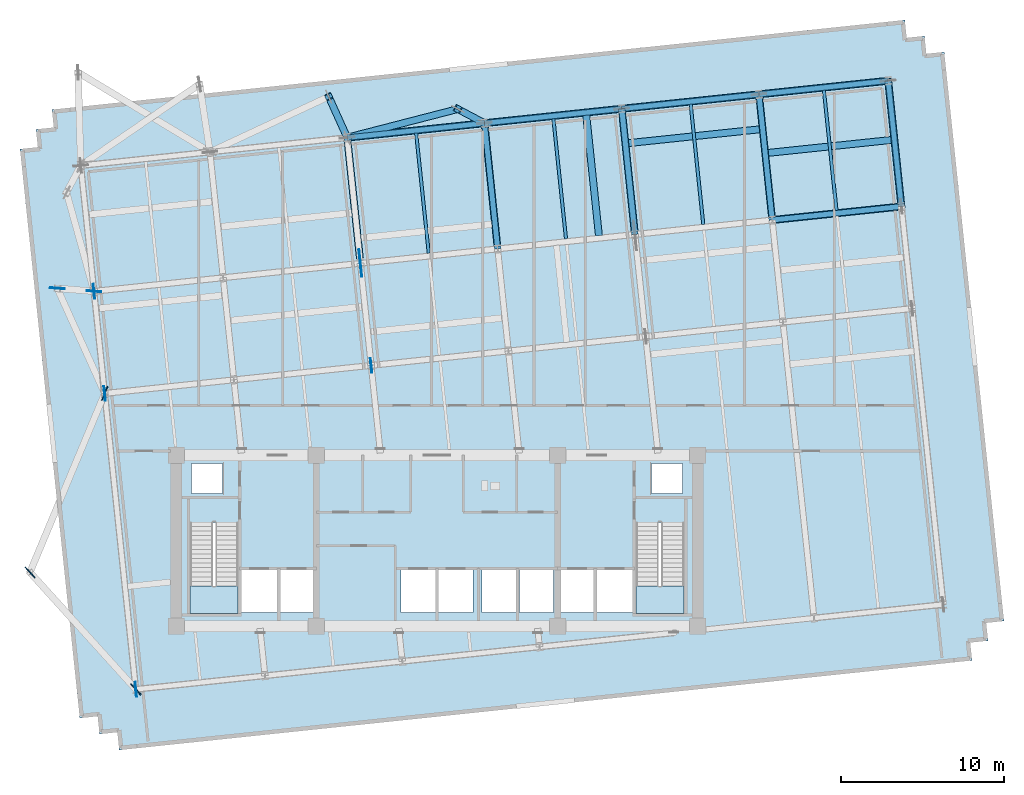
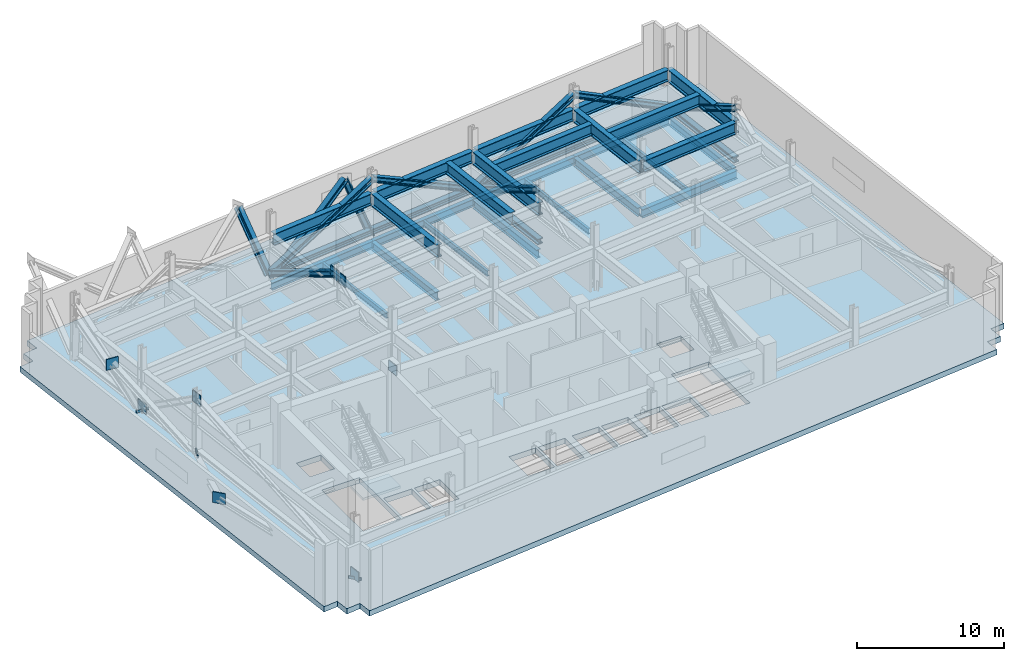
# One storey, part 4 of 11: 25 beams, 16 members, 11 plates, 3 slabs, 2 elements without a shape of their own.
"""IFC4 building model written with IfcOpenShell, lengths in metres."""

from ifc_helpers import new_model, si_unit, direction, frame, origin, origin_2d, place, context, subcontext, project, spatial, polyline, rectangle, i_section, outline, extrude, material, layer, layer_set, material_profile, profile_set, type_object, element, aggregate, save


model = new_model("IFC4")

# Units and contexts
model_context = context("Model", 3, precision=1e-05, world=origin(), true_north=direction((0.0, 1.0)))
body_context = subcontext(model_context, "Body", "Model", "MODEL_VIEW")
ifc_project = project(units=[si_unit("LENGTHUNIT", "METRE"), si_unit("AREAUNIT", "SQUARE_METRE"), si_unit("VOLUMEUNIT", "CUBIC_METRE"), si_unit("PLANEANGLEUNIT", "RADIAN"), si_unit("MASSUNIT", "GRAM", prefix="KILO")], contexts=[model_context])

# Site, building, storey
site_placement = place(None, origin())
site = spatial("IfcSite", under=ifc_project, at=site_placement, CompositionType="ELEMENT")
building_placement = place(site_placement, origin())
building = spatial("IfcBuilding", under=site, at=building_placement, Name="Solmavex Isthmus Hotel", CompositionType="ELEMENT")
storey_placement = place(building_placement, frame((0.0, 0.0, 130.5)))
storey = spatial("IfcBuildingStorey", under=building, at=storey_placement, Name="L35", CompositionType="ELEMENT", Elevation=130.5)

# Beams
ifc_material_1 = material(Name="Steel ASTM A992 Grade 50", Category="steel")
ifc_material_profile_1 = material_profile(ifc_material_1, i_section(OverallWidth=0.354736328125, OverallDepth=0.695556640625, WebThickness=0.015380859375, FlangeThickness=0.02490234375, FilletRadius=0.017822265625, at=origin_2d()), Name="W27X146")
ifc_profile_set_1 = profile_set([ifc_material_profile_1], Name="Steel ASTM A992 Grade 50")
beam_type_1 = type_object("IfcBeamType", Name="BM-BG-W27X146", PredefinedType="BEAM", material=ifc_profile_set_1)
beam_1_placement = place(storey_placement, frame((20.5615234375, 11.921875, -0.7978515625), z_axis=(0.994523402738, 0.104514120609, 0.0), x_axis=(-0.104514120609, 0.994523402738, 0.0)))
element("IfcBeam", 1, at=beam_1_placement, inside=storey, type_object=beam_type_1, Name="Floor Girder L35-UG18", PredefinedType="BEAM", context=body_context, shape_type="SweptSolid", body=[
    extrude(i_section(OverallWidth=0.354736328125, OverallDepth=0.695556640625, WebThickness=0.015380859375, FlangeThickness=0.02490234375, FilletRadius=0.017822265625, at=origin_2d()), origin(), (0.0, 0.0, 1.0), 7.968017578125),
])
beam_2_placement = place(storey_placement, frame((3.70361328125, 10.328369140625, -0.7978515625), z_axis=(-0.10452188296, 0.994522586964, 0.0), x_axis=(-0.994522586964, -0.10452188296, 0.0)))
element("IfcBeam", 2, at=beam_2_placement, inside=storey, type_object=beam_type_1, Name="Floor Beam L35-VG39", PredefinedType="BEAM", context=body_context, shape_type="SweptSolid", body=[
    extrude(i_section(OverallWidth=0.354736328125, OverallDepth=0.695556640625, WebThickness=0.015380859375, FlangeThickness=0.02490234375, FilletRadius=0.017822265625, at=origin_2d()), origin(), (0.0, 0.0, 1.0), 7.411376953125),
])
for number, where, z_axis, x_axis, name in (
    (3, (12.123291015625, 11.21337890625, -0.7978515625), (-0.104525307271, 0.994522227072, 0.0), (-0.994522227072, -0.104525307271, 0.0), "Floor Beam L35-VG42"),
    (4, (20.54296875, 12.098388671875, -0.7978515625), (-0.1045578893, 0.994518802128, 0.0), (-0.994518802128, -0.1045578893, 0.0), "Floor Beam L35-VG45"),
):
    element("IfcBeam", number, at=place(storey_placement, frame(where, z_axis=z_axis, x_axis=x_axis)), inside=storey, type_object=beam_type_1, Name=name, PredefinedType="BEAM", context=body_context, shape_type="SweptSolid", body=[
        extrude(i_section(OverallWidth=0.354736328125, OverallDepth=0.695556640625, WebThickness=0.015380859375, FlangeThickness=0.02490234375, FilletRadius=0.017822265625, at=origin_2d()), origin(), (0.0, 0.0, 1.0), 7.4111328125),
    ])
ifc_material_profile_2 = material_profile(ifc_material_1, i_section(OverallWidth=0.1904296875, OverallDepth=0.456787109375, WebThickness=0.009033203125, FlangeThickness=0.014404296875, FilletRadius=0.0126953125, at=origin_2d()), Name="W18X50")
ifc_profile_set_2 = profile_set([ifc_material_profile_2], Name="Steel ASTM A992 Grade 50")
beam_type_2 = type_object("IfcBeamType", Name="BM-BJ-W18X50", PredefinedType="JOIST", material=ifc_profile_set_2)
for number, where, z_axis, x_axis, name in (
    (5, (-0.506103515625, 9.885986328125, -0.678466796875), (-0.104525307271, 0.994522227072, 0.0), (-0.994522227072, -0.104525307271, 0.0), "Secondary Floor Joist L35-J12"),
    (6, (7.913330078125, 10.77099609375, -0.678466796875), (-0.104525307271, 0.994522227072, 0.0), (-0.994522227072, -0.104525307271, 0.0), "Secondary Floor Joist L35-J15"),
):
    element("IfcBeam", number, at=place(storey_placement, frame(where, z_axis=z_axis, x_axis=x_axis)), inside=storey, type_object=beam_type_2, Name=name, PredefinedType="JOIST", context=body_context, shape_type="SweptSolid", body=[
        extrude(i_section(OverallWidth=0.1904296875, OverallDepth=0.456787109375, WebThickness=0.009033203125, FlangeThickness=0.014404296875, FilletRadius=0.0126953125, at=origin_2d()), origin(), (0.0, 0.0, 1.0), 7.4111328125),
    ])
for number, where, z_axis, x_axis, name in (
    (7, (16.3330078125, 11.65576171875, -0.678466796875), (-0.10452188296, 0.994522586964, 0.0), (-0.994522586964, -0.10452188296, 0.0), "Secondary Floor Joist L35-J18"),
    (8, (24.505126953125, 12.5146484375, -0.678466796875), (-0.10452188296, 0.994522586964, 0.0), (-0.994522586964, -0.10452188296, 0.0), "Secondary Floor Joist L35-J21"),
):
    element("IfcBeam", number, at=place(storey_placement, frame(where, z_axis=z_axis, x_axis=x_axis)), inside=storey, type_object=beam_type_2, Name=name, PredefinedType="JOIST", context=body_context, shape_type="SweptSolid", body=[
        extrude(i_section(OverallWidth=0.1904296875, OverallDepth=0.456787109375, WebThickness=0.009033203125, FlangeThickness=0.014404296875, FilletRadius=0.0126953125, at=origin_2d()), origin(), (0.0, 0.0, 1.0), 7.411376953125),
    ])
ifc_material_profile_3 = material_profile(ifc_material_1, i_section(OverallWidth=0.326416015625, OverallDepth=0.621826171875, WebThickness=0.015380859375, FlangeThickness=0.0244140625, FilletRadius=0.01513671875, at=origin_2d()), Name="W24X131")
ifc_profile_set_3 = profile_set([ifc_material_profile_3], Name="Steel ASTM A992 Grade 50")
beam_type_3 = type_object("IfcBeamType", Name="BM-SP-W24X131", PredefinedType="SPANDREL", material=ifc_profile_set_3)
for number, where, z_axis, x_axis, name in (
    (9, (-5.5078125, 16.9765625, -0.760986328125), (0.994521085209, 0.104536171134, 0.0), (-0.104536171134, 0.994521085209, 0.0), "Floor Girder L35-UG21"),
    (10, (2.911865234375, 17.861572265625, -0.760986328125), (0.994521085209, 0.104536171134, 0.0), (-0.104536171134, 0.994521085209, 0.0), "Floor Girder L35-UG22"),
    (11, (11.33154296875, 18.74658203125, -0.760986328125), (0.994524082861, 0.104507648572, 0.0), (-0.104507648572, 0.994524082861, 0.0), "Floor Girder L35-UG23"),
):
    element("IfcBeam", number, at=place(storey_placement, frame(where, z_axis=z_axis, x_axis=x_axis)), inside=storey, type_object=beam_type_3, Name=name, PredefinedType="SPANDREL", context=body_context, shape_type="SweptSolid", body=[
        extrude(i_section(OverallWidth=0.326416015625, OverallDepth=0.621826171875, WebThickness=0.015380859375, FlangeThickness=0.0244140625, FilletRadius=0.01513671875, at=origin_2d()), origin(), (0.0, 0.0, 1.0), 8.466064453125),
    ])
beam_3_placement = place(storey_placement, frame((19.751220703125, 19.63134765625, -0.760986328125), z_axis=(0.994520217478, 0.10454442609, 0.0), x_axis=(-0.10454442609, 0.994520217478, 0.0)))
element("IfcBeam", 12, at=beam_3_placement, inside=storey, type_object=beam_type_3, Name="Floor Girder L35-UG24", PredefinedType="SPANDREL", context=body_context, shape_type="SweptSolid", body=[
    extrude(i_section(OverallWidth=0.326416015625, OverallDepth=0.621826171875, WebThickness=0.015380859375, FlangeThickness=0.0244140625, FilletRadius=0.01513671875, at=origin_2d()), origin(), (0.0, 0.0, 1.0), 7.968017578125),
])
beam_4_placement = place(storey_placement, frame((28.46728515625, 12.93115234375, -0.760986328125), z_axis=(-0.10452188296, 0.994522586964, 0.0), x_axis=(-0.994522586964, -0.10452188296, 0.0)))
element("IfcBeam", 13, at=beam_4_placement, inside=storey, type_object=beam_type_3, Name="Floor Beam L35-VG48", PredefinedType="SPANDREL", context=body_context, shape_type="SweptSolid", body=[
    extrude(i_section(OverallWidth=0.326416015625, OverallDepth=0.621826171875, WebThickness=0.015380859375, FlangeThickness=0.0244140625, FilletRadius=0.01513671875, at=origin_2d()), origin(), (0.0, 0.0, 1.0), 7.411376953125),
])
ifc_material_2 = material(Name="Steel ASTM A913 Grade 65", Category="steel")
ifc_material_profile_4 = material_profile(ifc_material_2, i_section(OverallWidth=0.423095703125, OverallDepth=0.93896484375, WebThickness=0.02392578125, FlangeThickness=0.042724609375, FilletRadius=0.024169921875, at=origin_2d()), Name="W36X302")
ifc_profile_set_4 = profile_set([ifc_material_profile_4], Name="Steel ASTM A913 Grade 65")
beam_type_4 = type_object("IfcBeamType", Name="BM-TB-W36X302", PredefinedType="BEAM", material=ifc_profile_set_4)
beam_5_placement = place(storey_placement, frame((20.715576171875, 11.93798828125, 3.1005859375), z_axis=(0.994520989294, 0.104537083632, 0.0), x_axis=(-0.104537083632, 0.994520989294, 0.0)))
element("IfcBeam", 14, at=beam_5_placement, inside=storey, type_object=beam_type_4, Name="Horizontal Outrigger Collector Girder L35-XLC42", PredefinedType="BEAM", context=body_context, shape_type="SweptSolid", body=[
    extrude(i_section(OverallWidth=0.423095703125, OverallDepth=0.93896484375, WebThickness=0.02392578125, FlangeThickness=0.042724609375, FilletRadius=0.024169921875, at=origin_2d()), origin(), (0.0, 0.0, 1.0), 7.657958984375),
])
for number, where, z_axis, x_axis, name in (
    (15, (-5.353515625, 16.99267578125, 3.1005859375), (0.994521842818, 0.104528963253, 0.0), (-0.104528963253, 0.994521842818, 0.0), "Horizontal Outrigger Collector Girder L35-XLC45"),
    (16, (3.06591796875, 17.877685546875, 3.1005859375), (0.994521842818, 0.104528963253, 0.0), (-0.104528963253, 0.994521842818, 0.0), "Horizontal Outrigger Collector Girder L35-XLC46"),
    (17, (11.485595703125, 18.7626953125, 3.1005859375), (0.994521842818, 0.104528963253, 0.0), (-0.104528963253, 0.994521842818, 0.0), "Horizontal Outrigger Collector Girder L35-XLC47"),
):
    element("IfcBeam", number, at=place(storey_placement, frame(where, z_axis=z_axis, x_axis=x_axis)), inside=storey, type_object=beam_type_4, Name=name, PredefinedType="BEAM", context=body_context, shape_type="SweptSolid", body=[
        extrude(i_section(OverallWidth=0.423095703125, OverallDepth=0.93896484375, WebThickness=0.02392578125, FlangeThickness=0.042724609375, FilletRadius=0.024169921875, at=origin_2d()), origin(), (0.0, 0.0, 1.0), 8.156005859375),
    ])
beam_6_placement = place(storey_placement, frame((19.9052734375, 19.647705078125, 3.1005859375), z_axis=(0.994524303269, 0.104505551086, 0.0), x_axis=(-0.104505551086, 0.994524303269, 0.0)))
element("IfcBeam", 18, at=beam_6_placement, inside=storey, type_object=beam_type_4, Name="Horizontal Outrigger Collector Girder L35-XLC48", PredefinedType="BEAM", context=body_context, shape_type="SweptSolid", body=[
    extrude(i_section(OverallWidth=0.423095703125, OverallDepth=0.93896484375, WebThickness=0.02392578125, FlangeThickness=0.042724609375, FilletRadius=0.024169921875, at=origin_2d()), origin(), (0.0, 0.0, 1.0), 7.657958984375),
])
beam_7_placement = place(storey_placement, frame((9.931640625, 10.96044921875, 3.1005859375), z_axis=(-0.104517431474, 0.994523054795, 0.0), x_axis=(-0.994523054795, -0.104517431474, 0.0)))
element("IfcBeam", 19, at=beam_7_placement, inside=storey, type_object=beam_type_4, Name="Horizontal Outrigger Collector Girder L35-XLC57", PredefinedType="BEAM", context=body_context, shape_type="SweptSolid", body=[
    extrude(i_section(OverallWidth=0.423095703125, OverallDepth=0.93896484375, WebThickness=0.02392578125, FlangeThickness=0.042724609375, FilletRadius=0.024169921875, at=origin_2d()), origin(), (0.0, 0.0, 1.0), 7.442138671875),
])
beam_8_placement = place(storey_placement, frame((11.709228515625, 16.6357421875, 3.1005859375), z_axis=(0.994521842818, 0.104528963253, 0.0), x_axis=(-0.104528963253, 0.994521842818, 0.0)))
element("IfcBeam", 20, at=beam_8_placement, inside=storey, type_object=beam_type_4, Name="Horizontal Outrigger Collector Girder L35-XLC60", PredefinedType="BEAM", context=body_context, shape_type="SweptSolid", body=[
    extrude(i_section(OverallWidth=0.423095703125, OverallDepth=0.93896484375, WebThickness=0.02392578125, FlangeThickness=0.042724609375, FilletRadius=0.024169921875, at=origin_2d()), origin(), (0.0, 0.0, 1.0), 8.156005859375),
])
beam_9_placement = place(storey_placement, frame((20.284912109375, 16.0361328125, 3.1005859375), z_axis=(0.994520989294, 0.104537083632, 0.0), x_axis=(-0.104537083632, 0.994520989294, 0.0)))
element("IfcBeam", 21, at=beam_9_placement, inside=storey, type_object=beam_type_4, Name="Horizontal Outrigger Collector Girder L35-XLC63", PredefinedType="BEAM", context=body_context, shape_type="SweptSolid", body=[
    extrude(i_section(OverallWidth=0.423095703125, OverallDepth=0.93896484375, WebThickness=0.02392578125, FlangeThickness=0.042724609375, FilletRadius=0.024169921875, at=origin_2d()), origin(), (0.0, 0.0, 1.0), 7.657958984375),
])
ifc_material_profile_5 = material_profile(ifc_material_2, i_section(OverallWidth=0.409423828125, OverallDepth=1.036376953125, WebThickness=0.031005859375, FlangeThickness=0.055908203125, FilletRadius=0.030517578125, at=origin_2d()), Name="W40X397")
ifc_profile_set_5 = profile_set([ifc_material_profile_5], Name="Steel ASTM A913 Grade 65")
beam_type_5 = type_object("IfcBeamType", Name="BM-TB-W40X397B", PredefinedType="BEAM", material=ifc_profile_set_5)
beam_10_placement = place(storey_placement, frame((3.72216796875, 10.152099609375, 3.0517578125), z_axis=(-0.104529038259, 0.994521834934, 0.0), x_axis=(-0.994521834934, -0.104529038259, 0.0)))
element("IfcBeam", 22, at=beam_10_placement, inside=storey, type_object=beam_type_5, Name="Horizontal Transfer Carrier Girder L35-XLC15", PredefinedType="BEAM", context=body_context, shape_type="SweptSolid", body=[
    extrude(i_section(OverallWidth=0.409423828125, OverallDepth=1.036376953125, WebThickness=0.031005859375, FlangeThickness=0.055908203125, FilletRadius=0.030517578125, at=origin_2d()), origin(), (0.0, 0.0, 1.0), 7.751953125),
])
beam_11_placement = place(storey_placement, frame((12.141845703125, 11.036865234375, 3.0517578125), z_axis=(-0.104525764344, 0.994522179033, 0.0), x_axis=(-0.994522179033, -0.104525764344, 0.0)))
element("IfcBeam", 23, at=beam_11_placement, inside=storey, type_object=beam_type_5, Name="Horizontal Transfer Carrier Girder L35-XLC18", PredefinedType="BEAM", context=body_context, shape_type="SweptSolid", body=[
    extrude(i_section(OverallWidth=0.409423828125, OverallDepth=1.036376953125, WebThickness=0.031005859375, FlangeThickness=0.055908203125, FilletRadius=0.030517578125, at=origin_2d()), origin(), (0.0, 0.0, 1.0), 7.752197265625),
])
beam_12_placement = place(storey_placement, frame((20.5615234375, 11.921875, 3.0517578125), z_axis=(-0.104529038259, 0.994521834934, 0.0), x_axis=(-0.994521834934, -0.104529038259, 0.0)))
element("IfcBeam", 24, at=beam_12_placement, inside=storey, type_object=beam_type_5, Name="Horizontal Transfer Carrier Girder L35-XLC21", PredefinedType="BEAM", context=body_context, shape_type="SweptSolid", body=[
    extrude(i_section(OverallWidth=0.409423828125, OverallDepth=1.036376953125, WebThickness=0.031005859375, FlangeThickness=0.055908203125, FilletRadius=0.030517578125, at=origin_2d()), origin(), (0.0, 0.0, 1.0), 7.751953125),
])
beam_13_placement = place(storey_placement, frame((28.48583984375, 12.754638671875, 3.0517578125), z_axis=(-0.104525764344, 0.994522179033, 0.0), x_axis=(-0.994522179033, -0.104525764344, 0.0)))
element("IfcBeam", 25, at=beam_13_placement, inside=storey, type_object=beam_type_5, Name="Horizontal Transfer Carrier Girder L35-XLC24", PredefinedType="BEAM", context=body_context, shape_type="SweptSolid", body=[
    extrude(i_section(OverallWidth=0.409423828125, OverallDepth=1.036376953125, WebThickness=0.031005859375, FlangeThickness=0.055908203125, FilletRadius=0.030517578125, at=origin_2d()), origin(), (0.0, 0.0, 1.0), 7.752197265625),
])

# Members
ifc_material_profile_6 = material_profile(ifc_material_2, i_section(OverallWidth=0.412109375, OverallDepth=0.434814453125, WebThickness=0.035888671875, FlangeThickness=0.057373046875, FilletRadius=0.030517578125, at=origin_2d()), Name="W14X311")
ifc_profile_set_6 = profile_set([ifc_material_profile_6], Name="Steel ASTM A913 Grade 65")
member_type_1 = type_object("IfcMemberType", Name="MEM-TC-W14X311", PredefinedType="CHORD", material=ifc_profile_set_6)
for number, where, z_axis, x_axis, name in (
    (26, (-5.5078125, 16.9765625, 0.35009765625), (0.994521085209, 0.104536171134, 0.0), (-0.104536171134, 0.994521085209, 0.0), "Outrigger and Belt Transfer Truss Bottom Chord BT-L35-N-03"),
    (27, (2.911865234375, 17.861572265625, 0.35009765625), (0.994521085209, 0.104536171134, 0.0), (-0.104536171134, 0.994521085209, 0.0), "Outrigger and Belt Transfer Truss Bottom Chord BT-L35-N-04"),
    (28, (11.33154296875, 18.74658203125, 0.35009765625), (0.994524082861, 0.104507648572, 0.0), (-0.104507648572, 0.994524082861, 0.0), "Outrigger and Belt Transfer Truss Bottom Chord BT-L35-N-05"),
):
    element("IfcMember", number, at=place(storey_placement, frame(where, z_axis=z_axis, x_axis=x_axis)), inside=storey, type_object=member_type_1, Name=name, PredefinedType="CHORD", context=body_context, shape_type="SweptSolid", body=[
        extrude(i_section(OverallWidth=0.412109375, OverallDepth=0.434814453125, WebThickness=0.035888671875, FlangeThickness=0.057373046875, FilletRadius=0.030517578125, at=origin_2d()), origin(), (0.0, 0.0, 1.0), 8.466064453125),
    ])
member_1_placement = place(storey_placement, frame((19.751220703125, 19.63134765625, 0.35009765625), z_axis=(0.994520217478, 0.10454442609, 0.0), x_axis=(-0.10454442609, 0.994520217478, 0.0)))
element("IfcMember", 29, at=member_1_placement, inside=storey, type_object=member_type_1, Name="Outrigger and Belt Transfer Truss Bottom Chord BT-L35-N-06", PredefinedType="CHORD", context=body_context, shape_type="SweptSolid", body=[
    extrude(i_section(OverallWidth=0.412109375, OverallDepth=0.434814453125, WebThickness=0.035888671875, FlangeThickness=0.057373046875, FilletRadius=0.030517578125, at=origin_2d()), origin(), (0.0, 0.0, 1.0), 7.968017578125),
])
for number, where, z_axis, x_axis, name in (
    (30, (28.48583984375, 12.754638671875, 0.35009765625), (-0.104525764344, 0.994522179033, 0.0), (-0.994522179033, -0.104525764344, 0.0), "Outrigger and Belt Transfer Truss Bottom Chord BT-L35-E-12"),
    (31, (12.141845703125, 11.036865234375, 0.35009765625), (-0.104525764344, 0.994522179033, 0.0), (-0.994522179033, -0.104525764344, 0.0), "Outrigger and Belt Transfer Truss Bottom Chord OT-L35-E-16"),
):
    element("IfcMember", number, at=place(storey_placement, frame(where, z_axis=z_axis, x_axis=x_axis)), inside=storey, type_object=member_type_1, Name=name, PredefinedType="CHORD", context=body_context, shape_type="SweptSolid", body=[
        extrude(i_section(OverallWidth=0.412109375, OverallDepth=0.434814453125, WebThickness=0.035888671875, FlangeThickness=0.057373046875, FilletRadius=0.030517578125, at=origin_2d()), origin(), (0.0, 0.0, 1.0), 7.752197265625),
    ])
ifc_material_profile_7 = material_profile(ifc_material_2, i_section(OverallWidth=0.41845703125, OverallDepth=0.455078125, WebThickness=0.0419921875, FlangeThickness=0.067626953125, FilletRadius=0.030517578125, at=origin_2d()), Name="W14X370")
ifc_profile_set_7 = profile_set([ifc_material_profile_7], Name="Steel ASTM A913 Grade 65")
member_type_2 = type_object("IfcMemberType", Name="MEM-TM-W14X370", PredefinedType="BRACE", material=ifc_profile_set_7)
member_2_placement = place(storey_placement, frame((-5.5078125, 16.9765625, -0.25), z_axis=(-0.201918379396, 0.447250729851, 0.871318399157), x_axis=(-0.91142090698, -0.41147530949, 0.0)))
element("IfcMember", 32, at=member_2_placement, inside=storey, type_object=member_type_2, Name="Perimeter Facade Transfer Bracket L35-FBR11", PredefinedType="BRACE", context=body_context, shape_type="SweptSolid", body=[
    extrude(i_section(OverallWidth=0.41845703125, OverallDepth=0.455078125, WebThickness=0.0419921875, FlangeThickness=0.067626953125, FilletRadius=0.030517578125, at=origin_2d()), origin(), (0.0, 0.0, 1.0), 5.62353515625),
])
member_3_placement = place(storey_placement, frame((2.911865234375, 17.861572265625, -0.25), z_axis=(-0.312280948244, 0.165602120763, 0.935444571828), x_axis=(-0.468499511166, -0.883463755927, 0.0)))
element("IfcMember", 33, at=member_3_placement, inside=storey, type_object=member_type_2, Name="Perimeter Facade Transfer Bracket L35-FBR13", PredefinedType="BRACE", context=body_context, shape_type="SweptSolid", body=[
    extrude(i_section(OverallWidth=0.41845703125, OverallDepth=0.455078125, WebThickness=0.0419921875, FlangeThickness=0.067626953125, FilletRadius=0.030517578125, at=origin_2d()), origin(), (0.0, 0.0, 1.0), 5.238037109375),
])
member_4_placement = place(storey_placement, frame((-5.5078125, 16.9765625, -0.25), z_axis=(0.793446143887, 0.204964782842, 0.573090441855), x_axis=(-0.250111961061, 0.968216921425, 0.0)))
element("IfcMember", 34, at=member_4_placement, inside=storey, type_object=member_type_2, Name="Perimeter Facade Transfer Bracket L35-FBR14", PredefinedType="BRACE", context=body_context, shape_type="SweptSolid", body=[
    extrude(i_section(OverallWidth=0.41845703125, OverallDepth=0.455078125, WebThickness=0.0419921875, FlangeThickness=0.067626953125, FilletRadius=0.030517578125, at=origin_2d()), origin(), (0.0, 0.0, 1.0), 8.550048828125),
])
for number, where, z_axis, x_axis, name in (
    (35, (-5.5078125, 16.9765625, 0.35009765625), (0.886711641489, 0.093204097208, 0.452830499316), (-0.104536171134, 0.994521085209, 0.0), "Outrigger and Belt Transfer Truss Diagonal Brace BT-L35-N-03"),
    (36, (2.911865234375, 17.861572265625, 4.64990234375), (0.886711641489, 0.093204097208, -0.452830499316), (-0.104536171134, 0.994521085209, 0.0), "Outrigger and Belt Transfer Truss Diagonal Brace BT-L35-N-04"),
    (37, (11.33154296875, 18.74658203125, 0.35009765625), (0.886713766133, 0.093178608997, 0.45283158434), (-0.104507648572, 0.994524082861, 0.0), "Outrigger and Belt Transfer Truss Diagonal Brace BT-L35-N-05"),
):
    element("IfcMember", number, at=place(storey_placement, frame(where, z_axis=z_axis, x_axis=x_axis)), inside=storey, type_object=member_type_2, Name=name, PredefinedType="BRACE", context=body_context, shape_type="SweptSolid", body=[
        extrude(i_section(OverallWidth=0.41845703125, OverallDepth=0.455078125, WebThickness=0.0419921875, FlangeThickness=0.067626953125, FilletRadius=0.030517578125, at=origin_2d()), origin(), (0.0, 0.0, 1.0), 9.495361328125),
    ])
member_5_placement = place(storey_placement, frame((19.751220703125, 19.63134765625, 4.64990234375), z_axis=(0.875217037596, 0.09200322054, -0.474900562762), x_axis=(-0.10454442609, 0.994520217478, 0.0)))
element("IfcMember", 38, at=member_5_placement, inside=storey, type_object=member_type_2, Name="Outrigger and Belt Transfer Truss Diagonal Brace BT-L35-N-06", PredefinedType="BRACE", context=body_context, shape_type="SweptSolid", body=[
    extrude(i_section(OverallWidth=0.41845703125, OverallDepth=0.455078125, WebThickness=0.0419921875, FlangeThickness=0.067626953125, FilletRadius=0.030517578125, at=origin_2d()), origin(), (0.0, 0.0, 1.0), 9.05419921875),
])
member_6_placement = place(storey_placement, frame((28.48583984375, 12.754638671875, 4.64990234375), z_axis=(-0.091406790366, 0.869700220837, -0.485042600759), x_axis=(-0.994522179033, -0.104525764344, 0.0)))
element("IfcMember", 39, at=member_6_placement, inside=storey, type_object=member_type_2, Name="Outrigger and Belt Transfer Truss Diagonal Brace BT-L35-E-12", PredefinedType="BRACE", context=body_context, shape_type="SweptSolid", body=[
    extrude(i_section(OverallWidth=0.41845703125, OverallDepth=0.455078125, WebThickness=0.0419921875, FlangeThickness=0.067626953125, FilletRadius=0.030517578125, at=origin_2d()), origin(), (0.0, 0.0, 1.0), 8.86474609375),
])
for number, where, z_axis, x_axis, name in (
    (40, (-4.739501953125, 9.6669921875, 4.4267578125), (-0.091414201763, 0.86969850676, -0.485044277417), (-0.994521276566, -0.104534350613, 0.0), "Outrigger and Belt Transfer Truss Diagonal Brace OT-L35-W-14"),
    (41, (12.099853515625, 11.43701171875, 4.4267578125), (-0.091414201763, 0.86969850676, -0.485044277417), (-0.994521276566, -0.104534350613, 0.0), "Outrigger and Belt Transfer Truss Diagonal Brace OT-L35-E-16"),
):
    element("IfcMember", number, at=place(storey_placement, frame(where, z_axis=z_axis, x_axis=x_axis)), inside=storey, type_object=member_type_2, Name=name, PredefinedType="BRACE", context=body_context, shape_type="SweptSolid", body=[
        extrude(i_section(OverallWidth=0.41845703125, OverallDepth=0.455078125, WebThickness=0.0419921875, FlangeThickness=0.067626953125, FilletRadius=0.030517578125, at=origin_2d()), origin(), (0.0, 0.0, 1.0), 8.40478515625),
    ])

# Plates
ifc_material_3 = material(Name="Steel ASTM A572 Grade 50", Category="steel")
ifc_layer_1 = layer(ifc_material_3, 0.06005859375)
ifc_layer_set_1 = layer_set([ifc_layer_1], Name="Steel ASTM A572 Grade 50")
plate_type = type_object("IfcPlateType", Name="PLT-GUSSET-60", PredefinedType="USERDEFINED", material=ifc_layer_set_1)
for number, where, z_axis, x_axis, name in (
    (42, (-18.475341796875, -16.8642578125, -0.699951171875), (0.0, 0.0, 1.0), (-0.670827968373, 0.741612996683, 0.0), "Perimeter Bracket Gusset Plate L35 001"),
    (43, (-24.96826171875, -9.686279296875, 4.199951171875), (0.0, 0.0, 1.0), (-0.670827968373, 0.741612996683, 0.0), "Perimeter Bracket Gusset Plate L35 002"),
    (44, (-20.383056640625, 1.28564453125, -0.699951171875), (0.0, 0.0, 1.0), (-0.385583992277, -0.92267273987, 0.0), "Perimeter Bracket Gusset Plate L35 003"),
    (45, (-21.04150390625, 7.54931640625, -0.699951171875), (0.0, 0.0, 1.0), (-0.996675888769, 0.081468845246, 0.0), "Perimeter Bracket Gusset Plate L35 004"),
    (46, (-23.291015625, 7.733154296875, 4.199951171875), (0.0, 0.0, 1.0), (-0.996675888769, 0.081468845246, 0.0), "Perimeter Bracket Gusset Plate L35 005"),
    (47, (-18.475341796875, -16.8642578125, -0.099853515625), (0.0, 0.0, 1.0), (-0.104528463268, 0.994521895368, 0.0), "Outrigger and Belt Transfer Truss Node Gusset Plate L35 008"),
    (48, (-20.383056640625, 1.28564453125, 4.199951171875), (0.0, 0.0, 1.0), (-0.104528463268, 0.994521895368, 0.0), "Outrigger and Belt Transfer Truss Node Gusset Plate L35 009"),
    (49, (-21.04150390625, 7.54931640625, -0.099853515625), (0.0, 0.0, 1.0), (-0.104528463268, 0.994521895368, 0.0), "Outrigger and Belt Transfer Truss Node Gusset Plate L35 010"),
    (50, (-4.0390625, 3.003662109375, -0.099853515625), (0.0, 0.0, 1.0), (-0.104528463268, 0.994521895368, 0.0), "Outrigger and Belt Transfer Truss Node Gusset Plate L35 015"),
    (51, (-4.65771484375, 8.88916015625, 3.940673828125), (0.0, 0.0, 1.0), (-0.104528463268, 0.994521895368, 0.0), "Outrigger and Belt Transfer Truss Node Gusset Plate L35 016"),
    (52, (-4.739501953125, 9.6669921875, 3.976806640625), (0.0, 0.0, 1.0), (-0.104528463268, 0.994521895368, 0.0), "Outrigger and Belt Transfer Truss Node Gusset Plate L35 017"),
):
    element("IfcPlate", number, at=place(storey_placement, frame(where, z_axis=z_axis, x_axis=x_axis)), inside=storey, type_object=plate_type, Name=name, ObjectType="GUSSET_PLATE", PredefinedType="USERDEFINED", context=body_context, shape_type="SweptSolid", body=[
        extrude(rectangle(XDim=0.89990234375, YDim=0.06005859375, at=origin_2d()), origin(), (0.0, 0.0, 1.0), 0.89990234375),
    ])

# Slab
ifc_material_4 = material(Name="Concrete C50/60", Category="concrete")
ifc_layer_2 = layer(ifc_material_4, 0.449951171875)
ifc_layer_set_2 = layer_set([ifc_layer_2], Name="Concrete C50/60")
slab_type_1 = type_object("IfcSlabType", Name="SLAB-XFER-360", PredefinedType="FLOOR", material=ifc_layer_set_2)
slab_1_placement = place(storey_placement, frame((0.0, 0.0, -0.449951171875)))
element("IfcSlab", 53, at=slab_1_placement, inside=storey, type_object=slab_type_1, Name="Tower Structural Floor Slab L35", PredefinedType="FLOOR", context=body_context, shape_type="SweptSolid", body=[
    extrude(outline(polyline([(-18.3974609375, -20.475830078125), (31.726318359375, -15.207763671875), (32.8203125, -15.0927734375), (32.705322265625, -13.998779296875), (33.79931640625, -13.8837890625), (33.684326171875, -12.789794921875), (34.7783203125, -12.6748046875), (34.663330078125, -11.580810546875), (31.224365234375, 21.138916015625), (31.109375, 22.23291015625), (30.015380859375, 22.117919921875), (29.900390625, 23.2119140625), (28.806396484375, 23.096923828125), (28.69140625, 24.19091796875), (27.597412109375, 24.075927734375), (-22.5263671875, 18.8076171875), (-23.620361328125, 18.692626953125), (-23.50537109375, 17.5986328125), (-24.599365234375, 17.483642578125), (-24.484375, 16.389892578125), (-25.578369140625, 16.27490234375), (-25.46337890625, 15.180908203125), (-22.0244140625, -17.5390625), (-21.909423828125, -18.6328125), (-20.8154296875, -18.517822265625), (-20.700439453125, -19.61181640625), (-19.6064453125, -19.496826171875), (-19.491455078125, -20.5908203125), (-18.3974609375, -20.475830078125)]), holes=[polyline([(-15.14990234375, -6.617919921875), (-15.14990234375, -12.199951171875), (-12.199951171875, -12.199951171875), (-12.199951171875, -6.617919921875), (-15.14990234375, -6.617919921875)]), polyline([(12.199951171875, -6.617919921875), (12.199951171875, -12.199951171875), (15.14990234375, -12.199951171875), (15.14990234375, -6.617919921875), (12.199951171875, -6.617919921875)]), polyline([(-12.0, -12.14990234375), (-9.800048828125, -12.14990234375), (-9.800048828125, -9.550048828125), (-12.0, -9.550048828125), (-12.0, -12.14990234375)]), polyline([(9.800048828125, -12.14990234375), (12.0, -12.14990234375), (12.0, -9.550048828125), (9.800048828125, -9.550048828125), (9.800048828125, -12.14990234375)]), polyline([(-9.60009765625, -12.14990234375), (-7.60009765625, -12.14990234375), (-7.60009765625, -9.550048828125), (-9.60009765625, -9.550048828125), (-9.60009765625, -12.14990234375)]), polyline([(7.60009765625, -12.14990234375), (9.60009765625, -12.14990234375), (9.60009765625, -9.550048828125), (7.60009765625, -9.550048828125), (7.60009765625, -12.14990234375)]), polyline([(-2.199951171875, -12.14990234375), (-0.10009765625, -12.14990234375), (-0.10009765625, -9.550048828125), (-2.199951171875, -9.550048828125), (-2.199951171875, -12.14990234375)]), polyline([(0.10009765625, -12.14990234375), (2.199951171875, -12.14990234375), (2.199951171875, -9.550048828125), (0.10009765625, -9.550048828125), (0.10009765625, -12.14990234375)]), polyline([(2.75, -12.14990234375), (4.85009765625, -12.14990234375), (4.85009765625, -9.550048828125), (2.75, -9.550048828125), (2.75, -12.14990234375)]), polyline([(5.050048828125, -12.14990234375), (7.14990234375, -12.14990234375), (7.14990234375, -9.550048828125), (5.050048828125, -9.550048828125), (5.050048828125, -12.14990234375)]), polyline([(-15.050048828125, -4.85009765625), (-13.14990234375, -4.85009765625), (-13.14990234375, -3.0), (-15.050048828125, -3.0), (-15.050048828125, -4.85009765625)]), polyline([(13.14990234375, -4.85009765625), (15.050048828125, -4.85009765625), (15.050048828125, -3.0), (13.14990234375, -3.0), (13.14990234375, -4.85009765625)])]), origin(), (0.0, 0.0, 1.0), 0.449951171875),
])

# Stair, slab
ifc_material_5 = material(Name="Concrete C40/50", Category="concrete")
stair_type_1 = type_object("IfcStairType", Name="STR-ST-1", PredefinedType="HALF_TURN_STAIR", material=ifc_material_5)
stair_1_placement = place(storey_placement, origin())
stair_1 = element("IfcStair", 54, at=stair_1_placement, inside=storey, type_object=stair_type_1, Name="L35 Protected Exit Stair ST-1", PredefinedType="HALF_TURN_STAIR")
ifc_layer_3 = layer(ifc_material_5, 0.219970703125)
ifc_layer_set_3 = layer_set([ifc_layer_3], Name="Concrete C40/50")
slab_type_2 = type_object("IfcSlabType", Name="SLD-ST-1", PredefinedType="LANDING", material=ifc_layer_set_3)
slab_2_placement = place(storey_placement, frame((0.0, 0.0, 2.5)))
slab_2 = element("IfcSlab", 55, at=slab_2_placement, type_object=slab_type_2, Name="ST-1 landing 1", PredefinedType="LANDING", context=body_context, shape_type="SweptSolid", body=[
    extrude(outline(polyline([(-15.14990234375, -10.52001953125), (-15.14990234375, -12.199951171875), (-12.199951171875, -12.199951171875), (-12.199951171875, -10.52001953125), (-15.14990234375, -10.52001953125)])), origin(), (0.0, 0.0, 1.0), 0.199951171875),
])
aggregate(stair_1, [slab_2])

stair_type_2 = type_object("IfcStairType", Name="STR-ST-2", PredefinedType="HALF_TURN_STAIR", material=ifc_material_5)
stair_2_placement = place(storey_placement, origin())
stair_2 = element("IfcStair", 56, at=stair_2_placement, inside=storey, type_object=stair_type_2, Name="L35 Protected Exit Stair ST-2", PredefinedType="HALF_TURN_STAIR")
ifc_layer_4 = layer(ifc_material_5, 0.219970703125)
ifc_layer_set_4 = layer_set([ifc_layer_4], Name="Concrete C40/50")
slab_type_3 = type_object("IfcSlabType", Name="SLD-ST-2", PredefinedType="LANDING", material=ifc_layer_set_4)
slab_3_placement = place(storey_placement, frame((0.0, 0.0, 2.5)))
slab_3 = element("IfcSlab", 57, at=slab_3_placement, type_object=slab_type_3, Name="ST-2 landing 1", PredefinedType="LANDING", context=body_context, shape_type="SweptSolid", body=[
    extrude(outline(polyline([(12.199951171875, -10.52001953125), (12.199951171875, -12.199951171875), (15.14990234375, -12.199951171875), (15.14990234375, -10.52001953125), (12.199951171875, -10.52001953125)])), origin(), (0.0, 0.0, 1.0), 0.199951171875),
])
aggregate(stair_2, [slab_3])

save(model, "model.ifc")
